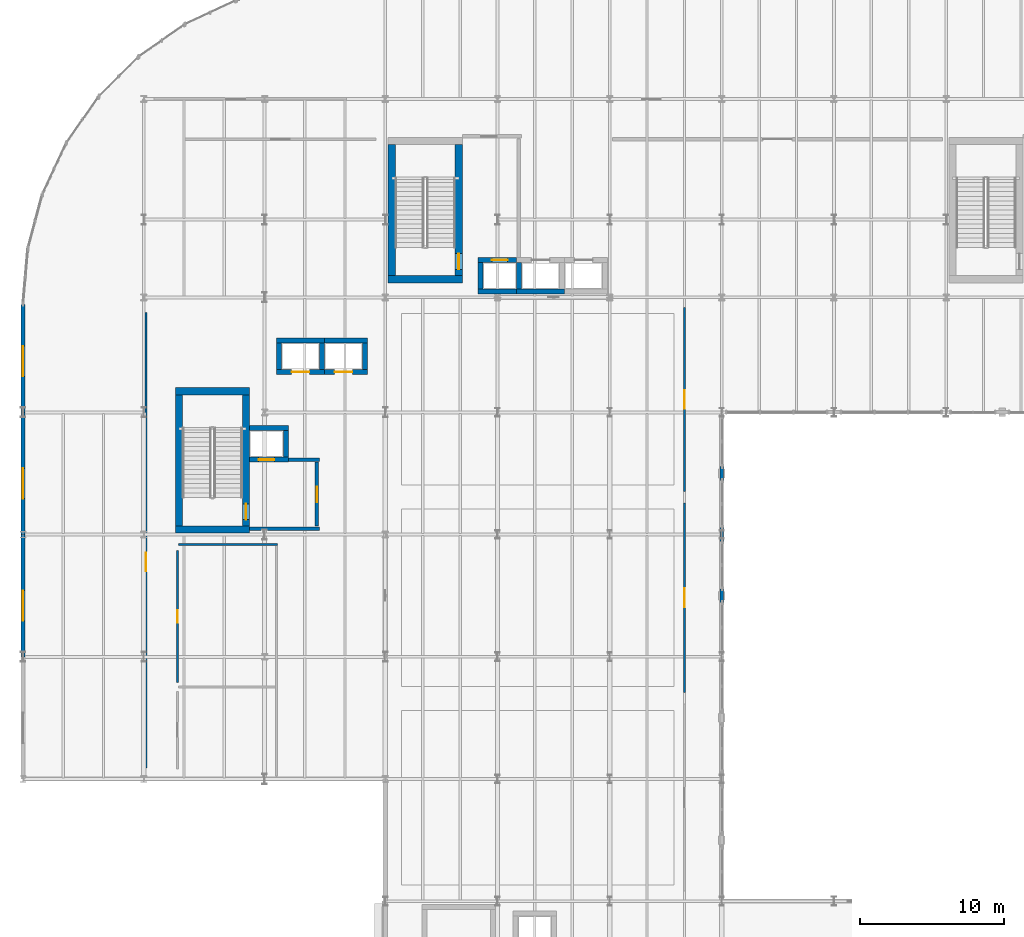
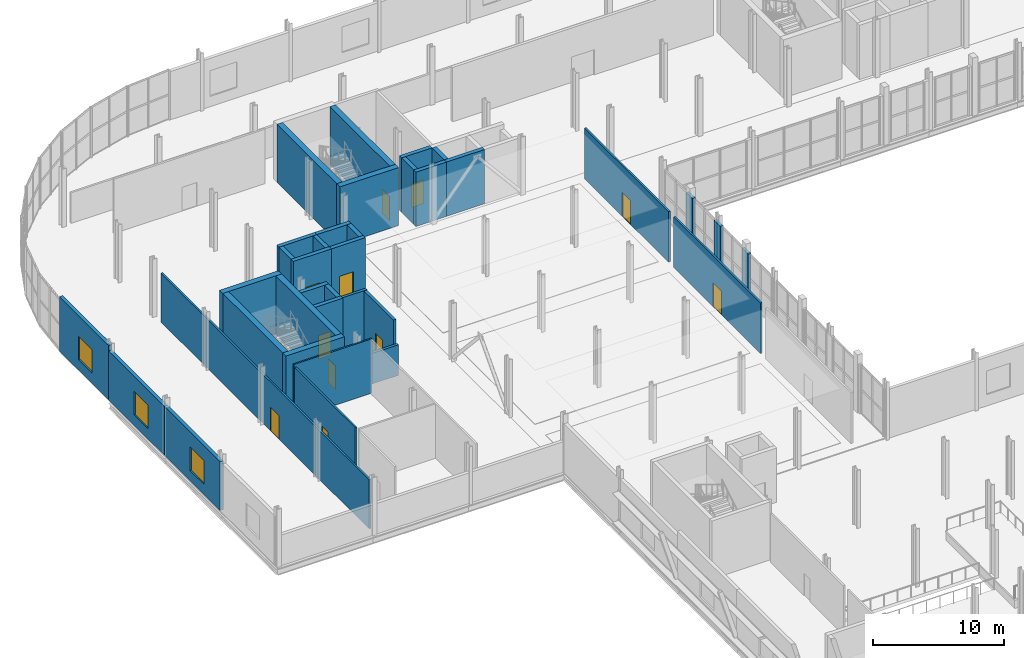
# One storey, part 54 of 78: 36 walls, 11 doors, 3 windows, 14 openings.
"""IFC4 building model written with IfcOpenShell, lengths in metres."""

from ifc_helpers import new_model, si_unit, direction, frame, frame_2d, origin, place, context, subcontext, project, spatial, rectangle, extrude, material, layer, layer_set, type_object, element, fill, save


model = new_model("IFC4")

# Units and contexts
model_context = context("Model", 3, precision=1e-05, world=origin(), true_north=direction((0.0, 1.0)))
body_context = subcontext(model_context, "Body", "Model", "MODEL_VIEW")
ifc_project = project(units=[si_unit("LENGTHUNIT", "METRE"), si_unit("AREAUNIT", "SQUARE_METRE"), si_unit("VOLUMEUNIT", "CUBIC_METRE"), si_unit("PLANEANGLEUNIT", "RADIAN"), si_unit("MASSUNIT", "GRAM", prefix="KILO")], contexts=[model_context])

# Site, building, storey
site_placement = place(None, origin())
site = spatial("IfcSite", under=ifc_project, at=site_placement, CompositionType="ELEMENT")
building_placement = place(site_placement, origin())
building = spatial("IfcBuilding", under=site, at=building_placement, Name="Sefraquen Railside Congress Hotel", CompositionType="ELEMENT")
storey_placement = place(building_placement, frame((0.0, 0.0, 6.0)))
storey = spatial("IfcBuildingStorey", under=building, at=storey_placement, Name="L01", CompositionType="ELEMENT", Elevation=6.0)

# Wall
ifc_material_1 = material(Name="Concrete C50/60", Category="concrete")
ifc_layer_1 = layer(ifc_material_1, 0.35009765625)
ifc_layer_set_1 = layer_set([ifc_layer_1], Name="Concrete C50/60")
wall_type_1 = type_object("IfcWallType", Name="TW-CW-350", PredefinedType="SHEAR", material=ifc_layer_set_1)
wall_1_placement = place(storey_placement, frame((15.760009765625, 86.89501953125, 0.0), z_axis=(0.0, 0.0, 1.0), x_axis=(1.0, 0.0, 0.0)))
element("IfcWall", 1, at=wall_1_placement, inside=storey, type_object=wall_type_1, Name="Lift FL-01 shaft wall N L01", PredefinedType="SHEAR", context=body_context, shape_type="SweptSolid", body=[
    extrude(rectangle(XDim=2.68994140625, YDim=0.35009765625, at=frame_2d((1.344970703125, 0.0))), origin(), (0.0, 0.0, 1.0), 5.050048828125),
])

# Wall, opening, door
wall_2_placement = place(storey_placement, frame((15.760009765625, 84.705078125, 0.0), z_axis=(0.0, 0.0, 1.0), x_axis=(1.0, 0.0, 0.0)))
wall_2 = element("IfcWall", 2, at=wall_2_placement, inside=storey, type_object=wall_type_1, Name="Lift FL-01 shaft wall S L01", PredefinedType="SHEAR", context=body_context, shape_type="SweptSolid", body=[
    extrude(rectangle(XDim=2.68994140625, YDim=0.35009765625, at=frame_2d((1.344970703125, 0.0))), origin(), (0.0, 0.0, 1.0), 5.050048828125),
])
opening_1_placement = place(wall_2_placement, frame((0.6201171875, 0.0, 0.0)))
opening_1 = element("IfcOpeningElement", 3, at=opening_1_placement, cuts=wall_2, Name="Opening LD-01", PredefinedType="OPENING", context=body_context, shape_type="SweptSolid", body=[
    extrude(rectangle(XDim=1.10009765625, YDim=2.199951171875, at=frame_2d((0.550048828125, 1.10009765625))), frame((0.0, 0.18505859375, 0.0), z_axis=(0.0, -1.0, 0.0), x_axis=(1.0, 0.0, 0.0)), (0.0, 0.0, 1.0), 0.3701171875),
])
ifc_material_2 = material(Name="Brushed bronze stainless steel", Category="steel")
door_type_1 = type_object("IfcDoorType", Name="TD-LD-01", OperationType="NOTDEFINED", PredefinedType="DOOR", material=ifc_material_2)
door_1_placement = place(opening_1_placement, origin())
door_1 = element("IfcDoor", 4, at=door_1_placement, inside=storey, type_object=door_type_1, Name="Lift landing door FL-01 L01", OperationType="SLIDING_TO_LEFT", OverallHeight=2.199951171875, OverallWidth=1.10009765625, PredefinedType="DOOR", context=body_context, shape_type="SweptSolid", body=[
    extrude(rectangle(XDim=1.10009765625, YDim=2.199951171875, at=frame_2d((0.550048828125, 1.10009765625))), frame((0.0, 0.02490234375, 0.0), z_axis=(0.0, -1.0, 0.0), x_axis=(1.0, 0.0, 0.0)), (0.0, 0.0, 1.0), 0.050048828125),
])
fill(opening_1, door_1)

# Wall
wall_3_placement = place(storey_placement, frame((18.27490234375, 84.8798828125, 0.0), z_axis=(0.0, 0.0, 1.0), x_axis=(0.0, 1.0, 0.0)))
element("IfcWall", 5, at=wall_3_placement, inside=storey, type_object=wall_type_1, Name="Lift FL-01 shaft wall E L01", PredefinedType="SHEAR", context=body_context, shape_type="SweptSolid", body=[
    extrude(rectangle(XDim=1.840087890625, YDim=0.35009765625, at=frame_2d((0.919921875, 0.0))), origin(), (0.0, 0.0, 1.0), 5.050048828125),
])

# Wall, opening, door
wall_4_placement = place(storey_placement, frame((31.639892578125, 98.594970703125, 0.0), z_axis=(0.0, 0.0, 1.0), x_axis=(1.0, 0.0, 0.0)))
wall_4 = element("IfcWall", 6, at=wall_4_placement, inside=storey, type_object=wall_type_1, Name="Lift FL-02 shaft wall N L01", PredefinedType="SHEAR", context=body_context, shape_type="SweptSolid", body=[
    extrude(rectangle(XDim=2.690185546875, YDim=0.35009765625, at=frame_2d((1.34521484375, 0.0))), origin(), (0.0, 0.0, 1.0), 5.050048828125),
])
opening_2_placement = place(wall_4_placement, frame((0.969970703125, 0.0, 0.0)))
opening_2 = element("IfcOpeningElement", 7, at=opening_2_placement, cuts=wall_4, Name="Opening LD-01", PredefinedType="OPENING", context=body_context, shape_type="SweptSolid", body=[
    extrude(rectangle(XDim=1.10009765625, YDim=2.199951171875, at=frame_2d((0.550048828125, 1.10009765625))), frame((0.0, 0.18505859375, 0.0), z_axis=(0.0, -1.0, 0.0), x_axis=(1.0, 0.0, 0.0)), (0.0, 0.0, 1.0), 0.3701171875),
])
door_2_placement = place(opening_2_placement, origin())
door_2 = element("IfcDoor", 8, at=door_2_placement, inside=storey, type_object=door_type_1, Name="Lift landing door FL-02 L01", OperationType="SLIDING_TO_LEFT", OverallHeight=2.199951171875, OverallWidth=1.10009765625, PredefinedType="DOOR", context=body_context, shape_type="SweptSolid", body=[
    extrude(rectangle(XDim=1.10009765625, YDim=2.199951171875, at=frame_2d((0.550048828125, 1.10009765625))), frame((0.0, 0.02490234375, 0.0), z_axis=(0.0, -1.0, 0.0), x_axis=(1.0, 0.0, 0.0)), (0.0, 0.0, 1.0), 0.050048828125),
])
fill(opening_2, door_2)

# Walls
wall_5_placement = place(storey_placement, frame((31.639892578125, 96.405029296875, 0.0), z_axis=(0.0, 0.0, 1.0), x_axis=(1.0, 0.0, 0.0)))
element("IfcWall", 9, at=wall_5_placement, inside=storey, type_object=wall_type_1, Name="Lift FL-02 shaft wall S L01", PredefinedType="SHEAR", context=body_context, shape_type="SweptSolid", body=[
    extrude(rectangle(XDim=2.690185546875, YDim=0.35009765625, at=frame_2d((1.34521484375, 0.0))), origin(), (0.0, 0.0, 1.0), 5.050048828125),
])
wall_6_placement = place(storey_placement, frame((31.81494140625, 96.580078125, 0.0), z_axis=(0.0, 0.0, 1.0), x_axis=(0.0, 1.0, 0.0)))
element("IfcWall", 10, at=wall_6_placement, inside=storey, type_object=wall_type_1, Name="Lift FL-02 shaft wall W L01", PredefinedType="SHEAR", context=body_context, shape_type="SweptSolid", body=[
    extrude(rectangle(XDim=1.83984375, YDim=0.35009765625, at=frame_2d((0.919921875, 0.0))), origin(), (0.0, 0.0, 1.0), 5.050048828125),
])
wall_7_placement = place(storey_placement, frame((17.6298828125, 92.9951171875, 0.0), z_axis=(0.0, 0.0, 1.0), x_axis=(1.0, 0.0, 0.0)))
element("IfcWall", 11, at=wall_7_placement, inside=storey, type_object=wall_type_1, Name="Lift PL-01 shaft wall N L01", PredefinedType="SHEAR", context=body_context, shape_type="SweptSolid", body=[
    extrude(rectangle(XDim=3.340087890625, YDim=0.35009765625, at=frame_2d((1.669921875, 0.0))), origin(), (0.0, 0.0, 1.0), 5.050048828125),
])

# Wall, opening, door
wall_8_placement = place(storey_placement, frame((17.6298828125, 90.804931640625, 0.0), z_axis=(0.0, 0.0, 1.0), x_axis=(1.0, 0.0, 0.0)))
wall_8 = element("IfcWall", 12, at=wall_8_placement, inside=storey, type_object=wall_type_1, Name="Lift PL-01 shaft wall S L01", PredefinedType="SHEAR", context=body_context, shape_type="SweptSolid", body=[
    extrude(rectangle(XDim=3.340087890625, YDim=0.35009765625, at=frame_2d((1.669921875, 0.0))), origin(), (0.0, 0.0, 1.0), 5.050048828125),
])
opening_3_placement = place(wall_8_placement, frame((1.044921875, 0.0, 0.0)))
opening_3 = element("IfcOpeningElement", 13, at=opening_3_placement, cuts=wall_8, Name="Opening LD-02", PredefinedType="OPENING", context=body_context, shape_type="SweptSolid", body=[
    extrude(rectangle(XDim=1.25, YDim=2.25, at=frame_2d((0.625, 1.125))), frame((0.0, 0.18505859375, 0.0), z_axis=(0.0, -1.0, 0.0), x_axis=(1.0, 0.0, 0.0)), (0.0, 0.0, 1.0), 0.3701171875),
])
ifc_material_3 = material(Name="Brushed stainless steel", Category="steel")
door_type_2 = type_object("IfcDoorType", Name="TD-LD-02", OperationType="NOTDEFINED", PredefinedType="DOOR", material=ifc_material_3)
door_3_placement = place(opening_3_placement, origin())
door_3 = element("IfcDoor", 14, at=door_3_placement, inside=storey, type_object=door_type_2, Name="Lift landing door PL-01 L01", OperationType="SLIDING_TO_LEFT", OverallHeight=2.25, OverallWidth=1.25, PredefinedType="DOOR", context=body_context, shape_type="SweptSolid", body=[
    extrude(rectangle(XDim=1.25, YDim=2.25, at=frame_2d((0.625, 1.125))), frame((0.0, 0.02490234375, 0.0), z_axis=(0.0, -1.0, 0.0), x_axis=(1.0, 0.0, 0.0)), (0.0, 0.0, 1.0), 0.050048828125),
])
fill(opening_3, door_3)

# Walls
for number, where, z_axis, x_axis, name in (
    (15, (17.804931640625, 90.97998046875, 0.0), (0.0, 0.0, 1.0), (0.0, 1.0, 0.0), "Lift PL-01 shaft wall W L01"),
    (16, (20.794921875, 90.97998046875, 0.0), (0.0, 0.0, 1.0), (0.0, 1.0, 0.0), "Lift PL-01 shaft wall E L01"),
):
    element("IfcWall", number, at=place(storey_placement, frame(where, z_axis=z_axis, x_axis=x_axis)), inside=storey, type_object=wall_type_1, Name=name, PredefinedType="SHEAR", context=body_context, shape_type="SweptSolid", body=[
        extrude(rectangle(XDim=1.840087890625, YDim=0.35009765625, at=frame_2d((0.919921875, 0.0))), origin(), (0.0, 0.0, 1.0), 5.050048828125),
    ])
wall_9_placement = place(storey_placement, frame((20.969970703125, 92.9951171875, 0.0), z_axis=(0.0, 0.0, 1.0), x_axis=(1.0, 0.0, 0.0)))
element("IfcWall", 17, at=wall_9_placement, inside=storey, type_object=wall_type_1, Name="Lift PL-02 shaft wall N L01", PredefinedType="SHEAR", context=body_context, shape_type="SweptSolid", body=[
    extrude(rectangle(XDim=2.989990234375, YDim=0.35009765625, at=frame_2d((1.4951171875, 0.0))), origin(), (0.0, 0.0, 1.0), 5.050048828125),
])

# Wall, opening, door
wall_10_placement = place(storey_placement, frame((20.969970703125, 90.804931640625, 0.0), z_axis=(0.0, 0.0, 1.0), x_axis=(1.0, 0.0, 0.0)))
wall_10 = element("IfcWall", 18, at=wall_10_placement, inside=storey, type_object=wall_type_1, Name="Lift PL-02 shaft wall S L01", PredefinedType="SHEAR", context=body_context, shape_type="SweptSolid", body=[
    extrude(rectangle(XDim=2.989990234375, YDim=0.35009765625, at=frame_2d((1.4951171875, 0.0))), origin(), (0.0, 0.0, 1.0), 5.050048828125),
])
opening_4_placement = place(wall_10_placement, frame((0.695068359375, 0.0, 0.0)))
opening_4 = element("IfcOpeningElement", 19, at=opening_4_placement, cuts=wall_10, Name="Opening LD-02", PredefinedType="OPENING", context=body_context, shape_type="SweptSolid", body=[
    extrude(rectangle(XDim=1.25, YDim=2.25, at=frame_2d((0.625, 1.125))), frame((0.0, 0.18505859375, 0.0), z_axis=(0.0, -1.0, 0.0), x_axis=(1.0, 0.0, 0.0)), (0.0, 0.0, 1.0), 0.3701171875),
])
door_4_placement = place(opening_4_placement, origin())
door_4 = element("IfcDoor", 20, at=door_4_placement, inside=storey, type_object=door_type_2, Name="Lift landing door PL-02 L01", OperationType="SLIDING_TO_LEFT", OverallHeight=2.25, OverallWidth=1.25, PredefinedType="DOOR", context=body_context, shape_type="SweptSolid", body=[
    extrude(rectangle(XDim=1.25, YDim=2.25, at=frame_2d((0.625, 1.125))), frame((0.0, 0.02490234375, 0.0), z_axis=(0.0, -1.0, 0.0), x_axis=(1.0, 0.0, 0.0)), (0.0, 0.0, 1.0), 0.050048828125),
])
fill(opening_4, door_4)

# Walls
wall_11_placement = place(storey_placement, frame((23.784912109375, 90.97998046875, 0.0), z_axis=(0.0, 0.0, 1.0), x_axis=(0.0, 1.0, 0.0)))
element("IfcWall", 21, at=wall_11_placement, inside=storey, type_object=wall_type_1, Name="Lift PL-02 shaft wall E L01", PredefinedType="SHEAR", context=body_context, shape_type="SweptSolid", body=[
    extrude(rectangle(XDim=1.840087890625, YDim=0.35009765625, at=frame_2d((0.919921875, 0.0))), origin(), (0.0, 0.0, 1.0), 5.050048828125),
])
wall_12_placement = place(storey_placement, frame((34.330078125, 96.405029296875, 0.0), z_axis=(0.0, 0.0, 1.0), x_axis=(1.0, 0.0, 0.0)))
element("IfcWall", 22, at=wall_12_placement, inside=storey, type_object=wall_type_1, Name="Lift PL-03 shaft wall S L01", PredefinedType="SHEAR", context=body_context, shape_type="SweptSolid", body=[
    extrude(rectangle(XDim=3.33984375, YDim=0.35009765625, at=frame_2d((1.669921875, 0.0))), origin(), (0.0, 0.0, 1.0), 5.050048828125),
])
wall_13_placement = place(storey_placement, frame((34.5048828125, 96.580078125, 0.0), z_axis=(0.0, 0.0, 1.0), x_axis=(0.0, 1.0, 0.0)))
element("IfcWall", 23, at=wall_13_placement, inside=storey, type_object=wall_type_1, Name="Lift PL-03 shaft wall W L01", PredefinedType="SHEAR", context=body_context, shape_type="SweptSolid", body=[
    extrude(rectangle(XDim=1.83984375, YDim=0.35009765625, at=frame_2d((0.919921875, 0.0))), origin(), (0.0, 0.0, 1.0), 5.050048828125),
])
ifc_layer_2 = layer(ifc_material_1, 0.5)
ifc_layer_set_2 = layer_set([ifc_layer_2], Name="Concrete C50/60")
wall_type_2 = type_object("IfcWallType", Name="TW-CW-500", PredefinedType="SHEAR", material=ifc_layer_set_2)
for number, where, z_axis, x_axis, name in (
    (24, (10.60009765625, 89.4619140625, 0.0), (0.0, 0.0, 1.0), (1.0, 0.0, 0.0), "Core shear wall ST-H01 N L01"),
    (25, (10.60009765625, 79.85009765625, 0.0), (0.0, 0.0, 1.0), (1.0, 0.0, 0.0), "Core shear wall ST-H01 S L01"),
):
    element("IfcWall", number, at=place(storey_placement, frame(where, z_axis=z_axis, x_axis=x_axis)), inside=storey, type_object=wall_type_2, Name=name, PredefinedType="SHEAR", context=body_context, shape_type="SweptSolid", body=[
        extrude(rectangle(XDim=5.159912109375, YDim=0.5, at=frame_2d((2.580078125, 0.0))), origin(), (0.0, 0.0, 1.0), 5.39990234375),
    ])
wall_14_placement = place(storey_placement, frame((10.85009765625, 80.10009765625, 0.0), z_axis=(0.0, 0.0, 1.0), x_axis=(0.0, 1.0, 0.0)))
element("IfcWall", 26, at=wall_14_placement, inside=storey, type_object=wall_type_2, Name="Core shear wall ST-H01 W L01", PredefinedType="SHEAR", context=body_context, shape_type="SweptSolid", body=[
    extrude(rectangle(XDim=9.11181640625, YDim=0.5, at=frame_2d((4.555908203125, 0.0))), origin(), (0.0, 0.0, 1.0), 5.39990234375),
])

# Wall, opening, door
wall_15_placement = place(storey_placement, frame((15.510009765625, 80.10009765625, 0.0), z_axis=(0.0, 0.0, 1.0), x_axis=(0.0, 1.0, 0.0)))
wall_15 = element("IfcWall", 27, at=wall_15_placement, inside=storey, type_object=wall_type_2, Name="Core shear wall ST-H01 E L01", PredefinedType="SHEAR", context=body_context, shape_type="SweptSolid", body=[
    extrude(rectangle(XDim=9.11181640625, YDim=0.5, at=frame_2d((4.555908203125, 0.0))), origin(), (0.0, 0.0, 1.0), 5.39990234375),
])
opening_5_placement = place(wall_15_placement, frame((0.43994140625, 0.0, 0.0)))
opening_5 = element("IfcOpeningElement", 28, at=opening_5_placement, cuts=wall_15, Name="Opening FD-04", PredefinedType="OPENING", context=body_context, shape_type="SweptSolid", body=[
    extrude(rectangle(XDim=1.10009765625, YDim=2.199951171875, at=frame_2d((0.550048828125, 1.10009765625))), frame((0.0, 0.260009765625, 0.0), z_axis=(0.0, -1.0, 0.0), x_axis=(1.0, 0.0, 0.0)), (0.0, 0.0, 1.0), 0.52001953125),
])
ifc_material_4 = material(Name="Fire-rated steel", Category="steel")
door_type_3 = type_object("IfcDoorType", Name="TD-FD-04", OperationType="NOTDEFINED", PredefinedType="DOOR", material=ifc_material_4)
door_5_placement = place(opening_5_placement, origin())
door_5 = element("IfcDoor", 29, at=door_5_placement, inside=storey, type_object=door_type_3, Name="Pressurized stair ST-H01 fire door L01", OperationType="SINGLE_SWING_LEFT", OverallHeight=2.199951171875, OverallWidth=1.10009765625, PredefinedType="DOOR", context=body_context, shape_type="SweptSolid", body=[
    extrude(rectangle(XDim=1.10009765625, YDim=2.199951171875, at=frame_2d((0.550048828125, 1.10009765625))), frame((0.0, 0.02490234375, 0.0), z_axis=(0.0, -1.0, 0.0), x_axis=(1.0, 0.0, 0.0)), (0.0, 0.0, 1.0), 0.050048828125),
])
fill(opening_5, door_5)

# Walls
wall_16_placement = place(storey_placement, frame((25.39990234375, 97.25, 0.0), z_axis=(0.0, 0.0, 1.0), x_axis=(1.0, 0.0, 0.0)))
element("IfcWall", 30, at=wall_16_placement, inside=storey, type_object=wall_type_2, Name="Core shear wall ST-H02 S L01", PredefinedType="SHEAR", context=body_context, shape_type="SweptSolid", body=[
    extrude(rectangle(XDim=5.16015625, YDim=0.5, at=frame_2d((2.580078125, 0.0))), origin(), (0.0, 0.0, 1.0), 5.39990234375),
])
wall_17_placement = place(storey_placement, frame((25.64990234375, 97.5, 0.0), z_axis=(0.0, 0.0, 1.0), x_axis=(0.0, 1.0, 0.0)))
element("IfcWall", 31, at=wall_17_placement, inside=storey, type_object=wall_type_2, Name="Core shear wall ST-H02 W L01", PredefinedType="SHEAR", context=body_context, shape_type="SweptSolid", body=[
    extrude(rectangle(XDim=9.112060546875, YDim=0.5, at=frame_2d((4.55615234375, 0.0))), origin(), (0.0, 0.0, 1.0), 5.39990234375),
])

# Wall, opening, door
wall_18_placement = place(storey_placement, frame((30.31005859375, 97.5, 0.0), z_axis=(0.0, 0.0, 1.0), x_axis=(0.0, 1.0, 0.0)))
wall_18 = element("IfcWall", 32, at=wall_18_placement, inside=storey, type_object=wall_type_2, Name="Core shear wall ST-H02 E L01", PredefinedType="SHEAR", context=body_context, shape_type="SweptSolid", body=[
    extrude(rectangle(XDim=9.112060546875, YDim=0.5, at=frame_2d((4.55615234375, 0.0))), origin(), (0.0, 0.0, 1.0), 5.39990234375),
])
opening_6_placement = place(wall_18_placement, frame((0.43994140625, 0.0, 0.0)))
opening_6 = element("IfcOpeningElement", 33, at=opening_6_placement, cuts=wall_18, Name="Opening FD-04", PredefinedType="OPENING", context=body_context, shape_type="SweptSolid", body=[
    extrude(rectangle(XDim=1.10009765625, YDim=2.199951171875, at=frame_2d((0.550048828125, 1.10009765625))), frame((0.0, 0.260009765625, 0.0), z_axis=(0.0, -1.0, 0.0), x_axis=(1.0, 0.0, 0.0)), (0.0, 0.0, 1.0), 0.52001953125),
])
door_6_placement = place(opening_6_placement, origin())
door_6 = element("IfcDoor", 34, at=door_6_placement, inside=storey, type_object=door_type_3, Name="Pressurized stair ST-H02 fire door L01", OperationType="SINGLE_SWING_LEFT", OverallHeight=2.199951171875, OverallWidth=1.10009765625, PredefinedType="DOOR", context=body_context, shape_type="SweptSolid", body=[
    extrude(rectangle(XDim=1.10009765625, YDim=2.199951171875, at=frame_2d((0.550048828125, 1.10009765625))), frame((0.0, 0.02490234375, 0.0), z_axis=(0.0, -1.0, 0.0), x_axis=(1.0, 0.0, 0.0)), (0.0, 0.0, 1.0), 0.050048828125),
])
fill(opening_6, door_6)

# Walls
ifc_material_5 = material(Name="Ochre Rabat calcarenite limestone and Concrete C40/50 backing", Category="masonry")
ifc_layer_3 = layer(ifc_material_5, 0.280029296875)
ifc_layer_set_3 = layer_set([ifc_layer_3], Name="Ochre Rabat calcarenite limestone and Concrete C40/50 backing")
wall_type_3 = type_object("IfcWallType", Name="TW-EW-280", PredefinedType="STANDARD", material=ifc_layer_set_3)
for number, where, z_axis, x_axis, name in (
    (35, (48.60009765625, 74.77001953125, 0.0), (0.0, 0.0, 1.0), (0.0, 1.0, 0.0), "Courtyard west gallery curtain wall L01 column pier closure 1"),
    (36, (48.60009765625, 79.02001953125, 0.0), (0.0, 0.0, 1.0), (0.0, 1.0, 0.0), "Courtyard west gallery curtain wall L01 column pier closure 2"),
    (37, (48.60009765625, 83.27001953125, 0.0), (0.0, 0.0, 1.0), (0.0, 1.0, 0.0), "Courtyard west gallery curtain wall L01 column pier closure 3"),
):
    element("IfcWall", number, at=place(storey_placement, frame(where, z_axis=z_axis, x_axis=x_axis)), inside=storey, type_object=wall_type_3, Name=name, PredefinedType="STANDARD", context=body_context, shape_type="SweptSolid", body=[
        extrude(rectangle(XDim=0.9599609375, YDim=0.260009765625, at=frame_2d((0.47998046875, 0.0))), origin(), (0.0, 0.0, 1.0), 4.550048828125),
    ])

# Wall, opening, window
ifc_layer_4 = layer(ifc_material_5, 0.300048828125)
ifc_layer_set_4 = layer_set([ifc_layer_4], Name="Ochre Rabat calcarenite limestone and Concrete C40/50 backing")
wall_type_4 = type_object("IfcWallType", Name="TW-EW-300", PredefinedType="STANDARD", material=ifc_layer_set_4)
wall_19_placement = place(storey_placement, frame((0.0, 71.0, 0.0), z_axis=(0.0, 0.0, 1.0), x_axis=(0.0, 1.0, 0.0)))
wall_19 = element("IfcWall", 38, at=wall_19_placement, inside=storey, type_object=wall_type_4, Name="Hotel L01 West Forecourt facade wall", PredefinedType="STANDARD", context=body_context, shape_type="SweptSolid", body=[
    extrude(rectangle(XDim=8.5, YDim=0.300048828125, at=frame_2d((4.25, 0.0))), origin(), (0.0, 0.0, 1.0), 4.550048828125),
])
opening_7_placement = place(wall_19_placement, frame((2.5, 0.0, 0.949951171875)))
opening_7 = element("IfcOpeningElement", 39, at=opening_7_placement, cuts=wall_19, Name="Opening WN-07", PredefinedType="OPENING", context=body_context, shape_type="SweptSolid", body=[
    extrude(rectangle(XDim=2.10009765625, YDim=2.199951171875, at=frame_2d((1.050048828125, 1.10009765625))), frame((0.0, 0.159912109375, 0.0), z_axis=(0.0, -1.0, 0.0), x_axis=(1.0, 0.0, 0.0)), (0.0, 0.0, 1.0), 0.320068359375),
])
ifc_material_6 = material(Name="Solar-control low-E double glazing in bronze-anodised frame", Category="glass")
window_type = type_object("IfcWindowType", Name="TWN-W-07", PartitioningType="DOUBLE_PANEL_VERTICAL", PredefinedType="WINDOW", material=ifc_material_6)
window_1_placement = place(opening_7_placement, origin())
window_1 = element("IfcWindow", 40, at=window_1_placement, inside=storey, type_object=window_type, Name="Hotel L01 west window", OverallHeight=2.199951171875, OverallWidth=2.10009765625, PartitioningType="DOUBLE_PANEL_VERTICAL", PredefinedType="WINDOW", context=body_context, shape_type="SweptSolid", body=[
    extrude(rectangle(XDim=2.10009765625, YDim=2.199951171875, at=frame_2d((1.050048828125, 1.10009765625))), frame((0.0, 0.030029296875, 0.0), z_axis=(0.0, -1.0, 0.0), x_axis=(1.0, 0.0, 0.0)), (0.0, 0.0, 1.0), 0.06005859375),
])
fill(opening_7, window_1)

wall_20_placement = place(storey_placement, frame((0.0, 79.5, 0.0), z_axis=(0.0, 0.0, 1.0), x_axis=(0.0, 1.0, 0.0)))
wall_20 = element("IfcWall", 41, at=wall_20_placement, inside=storey, type_object=wall_type_4, Name="Hotel L01 West Forecourt facade wall", PredefinedType="STANDARD", context=body_context, shape_type="SweptSolid", body=[
    extrude(rectangle(XDim=8.5, YDim=0.300048828125, at=frame_2d((4.25, 0.0))), origin(), (0.0, 0.0, 1.0), 4.550048828125),
])
opening_8_placement = place(wall_20_placement, frame((2.5, 0.0, 0.949951171875)))
opening_8 = element("IfcOpeningElement", 42, at=opening_8_placement, cuts=wall_20, Name="Opening WN-07", PredefinedType="OPENING", context=body_context, shape_type="SweptSolid", body=[
    extrude(rectangle(XDim=2.10009765625, YDim=2.199951171875, at=frame_2d((1.050048828125, 1.10009765625))), frame((0.0, 0.159912109375, 0.0), z_axis=(0.0, -1.0, 0.0), x_axis=(1.0, 0.0, 0.0)), (0.0, 0.0, 1.0), 0.320068359375),
])
window_2_placement = place(opening_8_placement, origin())
window_2 = element("IfcWindow", 43, at=window_2_placement, inside=storey, type_object=window_type, Name="Hotel L01 west window", OverallHeight=2.199951171875, OverallWidth=2.10009765625, PartitioningType="DOUBLE_PANEL_VERTICAL", PredefinedType="WINDOW", context=body_context, shape_type="SweptSolid", body=[
    extrude(rectangle(XDim=2.10009765625, YDim=2.199951171875, at=frame_2d((1.050048828125, 1.10009765625))), frame((0.0, 0.030029296875, 0.0), z_axis=(0.0, -1.0, 0.0), x_axis=(1.0, 0.0, 0.0)), (0.0, 0.0, 1.0), 0.06005859375),
])
fill(opening_8, window_2)

wall_21_placement = place(storey_placement, frame((0.0, 88.0, 0.0), z_axis=(0.0, 0.0, 1.0), x_axis=(0.0, 1.0, 0.0)))
wall_21 = element("IfcWall", 44, at=wall_21_placement, inside=storey, type_object=wall_type_4, Name="Hotel L01 West Forecourt facade wall", PredefinedType="STANDARD", context=body_context, shape_type="SweptSolid", body=[
    extrude(rectangle(XDim=7.5, YDim=0.300048828125, at=frame_2d((3.75, 0.0))), origin(), (0.0, 0.0, 1.0), 5.050048828125),
])
opening_9_placement = place(wall_21_placement, frame((2.5, 0.0, 0.949951171875)))
opening_9 = element("IfcOpeningElement", 45, at=opening_9_placement, cuts=wall_21, Name="Opening WN-07", PredefinedType="OPENING", context=body_context, shape_type="SweptSolid", body=[
    extrude(rectangle(XDim=2.10009765625, YDim=2.199951171875, at=frame_2d((1.050048828125, 1.10009765625))), frame((0.0, 0.159912109375, 0.0), z_axis=(0.0, -1.0, 0.0), x_axis=(1.0, 0.0, 0.0)), (0.0, 0.0, 1.0), 0.320068359375),
])
window_3_placement = place(opening_9_placement, origin())
window_3 = element("IfcWindow", 46, at=window_3_placement, inside=storey, type_object=window_type, Name="Hotel L01 west window", OverallHeight=2.199951171875, OverallWidth=2.10009765625, PartitioningType="DOUBLE_PANEL_VERTICAL", PredefinedType="WINDOW", context=body_context, shape_type="SweptSolid", body=[
    extrude(rectangle(XDim=2.10009765625, YDim=2.199951171875, at=frame_2d((1.050048828125, 1.10009765625))), frame((0.0, 0.030029296875, 0.0), z_axis=(0.0, -1.0, 0.0), x_axis=(1.0, 0.0, 0.0)), (0.0, 0.0, 1.0), 0.06005859375),
])
fill(opening_9, window_3)

# Walls
ifc_material_7 = material(Name="Concrete C40/50", Category="concrete")
ifc_layer_5 = layer(ifc_material_7, 0.239990234375)
ifc_layer_set_5 = layer_set([ifc_layer_5], Name="Concrete C40/50")
wall_type_5 = type_object("IfcWallType", Name="TW-FW-240", PredefinedType="STANDARD", material=ifc_layer_set_5)
wall_22_placement = place(storey_placement, frame((15.760009765625, 79.89990234375, 0.0), z_axis=(0.0, 0.0, 1.0), x_axis=(1.0, 0.0, 0.0)))
element("IfcWall", 47, at=wall_22_placement, inside=storey, type_object=wall_type_5, Name="Firefighting Lift Lobby FFL-01 S fire wall L01", PredefinedType="STANDARD", context=body_context, shape_type="SweptSolid", body=[
    extrude(rectangle(XDim=4.860107421875, YDim=0.239990234375, at=frame_2d((2.43017578125, 0.0))), origin(), (0.0, 0.0, 1.0), 2.840087890625),
])
wall_23_placement = place(storey_placement, frame((18.449951171875, 84.705078125, 0.0), z_axis=(0.0, 0.0, 1.0), x_axis=(1.0, 0.0, 0.0)))
element("IfcWall", 48, at=wall_23_placement, inside=storey, type_object=wall_type_5, Name="Firefighting Lift Lobby FFL-01 N fire wall L01", PredefinedType="STANDARD", context=body_context, shape_type="SweptSolid", body=[
    extrude(rectangle(XDim=2.170166015625, YDim=0.239990234375, at=frame_2d((1.0849609375, 0.0))), origin(), (0.0, 0.0, 1.0), 5.050048828125),
])

# Wall, opening, door
wall_24_placement = place(storey_placement, frame((20.43994140625, 80.080078125, 0.0), z_axis=(0.0, 0.0, 1.0), x_axis=(0.0, 1.0, 0.0)))
wall_24 = element("IfcWall", 49, at=wall_24_placement, inside=storey, type_object=wall_type_5, Name="Firefighting Lift Lobby FFL-01 EI 120 separation wall L01", PredefinedType="STANDARD", context=body_context, shape_type="SweptSolid", body=[
    extrude(rectangle(XDim=4.449951171875, YDim=0.239990234375, at=frame_2d((2.22509765625, 0.0))), origin(), (0.0, 0.0, 1.0), 5.050048828125),
])
opening_10_placement = place(wall_24_placement, frame((1.64990234375, 0.0, 0.0)))
opening_10 = element("IfcOpeningElement", 50, at=opening_10_placement, cuts=wall_24, Name="Opening FD-04", PredefinedType="OPENING", context=body_context, shape_type="SweptSolid", body=[
    extrude(rectangle(XDim=1.10009765625, YDim=2.199951171875, at=frame_2d((0.550048828125, 1.10009765625))), frame((0.0, 0.1298828125, 0.0), z_axis=(0.0, -1.0, 0.0), x_axis=(1.0, 0.0, 0.0)), (0.0, 0.0, 1.0), 0.260009765625),
])
door_7_placement = place(opening_10_placement, origin())
door_7 = element("IfcDoor", 51, at=door_7_placement, inside=storey, type_object=door_type_3, Name="Firefighting Lift Lobby FFL-01 self-closing fire door L01", OperationType="SINGLE_SWING_LEFT", OverallHeight=2.199951171875, OverallWidth=1.10009765625, PredefinedType="DOOR", context=body_context, shape_type="SweptSolid", body=[
    extrude(rectangle(XDim=1.10009765625, YDim=2.199951171875, at=frame_2d((0.550048828125, 1.10009765625))), frame((0.0, 0.02490234375, 0.0), z_axis=(0.0, -1.0, 0.0), x_axis=(1.0, 0.0, 0.0)), (0.0, 0.0, 1.0), 0.050048828125),
])
fill(opening_10, door_7)

# Wall
ifc_material_8 = material(Name="Moisture-resistant gypsum board", Category="gypsum")
ifc_layer_6 = layer(ifc_material_8, 0.139892578125)
ifc_layer_set_6 = layer_set([ifc_layer_6], Name="Moisture-resistant gypsum board")
wall_type_6 = type_object("IfcWallType", Name="TW-PW-140", PredefinedType="PARTITIONING", material=ifc_layer_set_6)
wall_25_placement = place(storey_placement, frame((10.830078125, 78.820068359375, 0.0), z_axis=(0.0, 0.0, 1.0), x_axis=(1.0, 0.0, 0.0)))
element("IfcWall", 52, at=wall_25_placement, inside=storey, type_object=wall_type_6, Name="Hotel L01 staff WC north enclosure partition", PredefinedType="PARTITIONING", context=body_context, shape_type="SweptSolid", body=[
    extrude(rectangle(XDim=6.85986328125, YDim=0.139892578125, at=frame_2d((3.429931640625, 0.0))), origin(), (0.0, 0.0, 1.0), 5.050048828125),
])

# Wall, opening, door
ifc_layer_7 = layer(ifc_material_8, 0.159912109375)
ifc_layer_set_7 = layer_set([ifc_layer_7], Name="Moisture-resistant gypsum board")
wall_type_7 = type_object("IfcWallType", Name="TW-PW-160", PredefinedType="PARTITIONING", material=ifc_layer_set_7)
wall_26_placement = place(storey_placement, frame((46.0, 68.5, 0.0), z_axis=(0.0, 0.0, 1.0), x_axis=(0.0, 1.0, 0.0)))
wall_26 = element("IfcWall", 53, at=wall_26_placement, inside=storey, type_object=wall_type_7, Name="Conference Suite 02 enclosure wall", PredefinedType="PARTITIONING", context=body_context, shape_type="SweptSolid", body=[
    extrude(rectangle(XDim=13.199951171875, YDim=0.159912109375, at=frame_2d((6.60009765625, 0.0))), origin(), (0.0, 0.0, 1.0), 4.7099609375),
])
opening_11_placement = place(wall_26_placement, frame((5.949951171875, 0.0, 0.0)))
opening_11 = element("IfcOpeningElement", 54, at=opening_11_placement, cuts=wall_26, Name="Opening MD-02", PredefinedType="OPENING", context=body_context, shape_type="SweptSolid", body=[
    extrude(rectangle(XDim=1.300048828125, YDim=2.199951171875, at=frame_2d((0.64990234375, 1.10009765625))), frame((0.0, 0.08984375, 0.0), z_axis=(0.0, -1.0, 0.0), x_axis=(1.0, 0.0, 0.0)), (0.0, 0.0, 1.0), 0.179931640625),
])
ifc_material_9 = material(Name="Acoustic cedar veneer", Category="wood")
door_type_4 = type_object("IfcDoorType", Name="TD-MD-02", OperationType="NOTDEFINED", PredefinedType="DOOR", material=ifc_material_9)
door_8_placement = place(opening_11_placement, origin())
door_8 = element("IfcDoor", 55, at=door_8_placement, inside=storey, type_object=door_type_4, Name="Conference Suite 02 entrance door", OperationType="SINGLE_SWING_RIGHT", OverallHeight=2.199951171875, OverallWidth=1.300048828125, PredefinedType="DOOR", context=body_context, shape_type="SweptSolid", body=[
    extrude(rectangle(XDim=1.300048828125, YDim=2.199951171875, at=frame_2d((0.64990234375, 1.10009765625))), frame((0.0, 0.02490234375, 0.0), z_axis=(0.0, -1.0, 0.0), x_axis=(1.0, 0.0, 0.0)), (0.0, 0.0, 1.0), 0.050048828125),
])
fill(opening_11, door_8)

wall_27_placement = place(storey_placement, frame((46.0, 82.5, 0.0), z_axis=(0.0, 0.0, 1.0), x_axis=(0.0, 1.0, 0.0)))
wall_27 = element("IfcWall", 56, at=wall_27_placement, inside=storey, type_object=wall_type_7, Name="Conference Suite 03 enclosure wall", PredefinedType="PARTITIONING", context=body_context, shape_type="SweptSolid", body=[
    extrude(rectangle(XDim=12.800048828125, YDim=0.159912109375, at=frame_2d((6.39990234375, 0.0))), origin(), (0.0, 0.0, 1.0), 4.7099609375),
])
opening_12_placement = place(wall_27_placement, frame((5.75, 0.0, 0.0)))
opening_12 = element("IfcOpeningElement", 57, at=opening_12_placement, cuts=wall_27, Name="Opening MD-02", PredefinedType="OPENING", context=body_context, shape_type="SweptSolid", body=[
    extrude(rectangle(XDim=1.300048828125, YDim=2.199951171875, at=frame_2d((0.64990234375, 1.10009765625))), frame((0.0, 0.08984375, 0.0), z_axis=(0.0, -1.0, 0.0), x_axis=(1.0, 0.0, 0.0)), (0.0, 0.0, 1.0), 0.179931640625),
])
door_9_placement = place(opening_12_placement, origin())
door_9 = element("IfcDoor", 58, at=door_9_placement, inside=storey, type_object=door_type_4, Name="Conference Suite 03 entrance door", OperationType="SINGLE_SWING_LEFT", OverallHeight=2.199951171875, OverallWidth=1.300048828125, PredefinedType="DOOR", context=body_context, shape_type="SweptSolid", body=[
    extrude(rectangle(XDim=1.300048828125, YDim=2.199951171875, at=frame_2d((0.64990234375, 1.10009765625))), frame((0.0, 0.02490234375, 0.0), z_axis=(0.0, -1.0, 0.0), x_axis=(1.0, 0.0, 0.0)), (0.0, 0.0, 1.0), 0.050048828125),
])
fill(opening_12, door_9)

wall_28_placement = place(storey_placement, frame((8.550048828125, 63.25, 0.0), z_axis=(0.0, 0.0, 1.0), x_axis=(0.0, 1.0, 0.0)))
wall_28 = element("IfcWall", 59, at=wall_28_placement, inside=storey, type_object=wall_type_7, Name="Delegate Business Salon enclosure wall", PredefinedType="PARTITIONING", context=body_context, shape_type="SweptSolid", body=[
    extrude(rectangle(XDim=31.699951171875, YDim=0.159912109375, at=frame_2d((15.85009765625, 0.0))), origin(), (0.0, 0.0, 1.0), 4.550048828125),
])
opening_13_placement = place(wall_28_placement, frame((13.699951171875, 0.0, 0.0)))
opening_13 = element("IfcOpeningElement", 60, at=opening_13_placement, cuts=wall_28, Name="Opening MD-02", PredefinedType="OPENING", context=body_context, shape_type="SweptSolid", body=[
    extrude(rectangle(XDim=1.300048828125, YDim=2.199951171875, at=frame_2d((0.64990234375, 1.10009765625))), frame((0.0, 0.08984375, 0.0), z_axis=(0.0, -1.0, 0.0), x_axis=(1.0, 0.0, 0.0)), (0.0, 0.0, 1.0), 0.179931640625),
])
door_10_placement = place(opening_13_placement, origin())
door_10 = element("IfcDoor", 61, at=door_10_placement, inside=storey, type_object=door_type_4, Name="Delegate Business Salon entrance door", OperationType="SINGLE_SWING_LEFT", OverallHeight=2.199951171875, OverallWidth=1.300048828125, PredefinedType="DOOR", context=body_context, shape_type="SweptSolid", body=[
    extrude(rectangle(XDim=1.300048828125, YDim=2.199951171875, at=frame_2d((0.64990234375, 1.10009765625))), frame((0.0, 0.02490234375, 0.0), z_axis=(0.0, -1.0, 0.0), x_axis=(1.0, 0.0, 0.0)), (0.0, 0.0, 1.0), 0.050048828125),
])
fill(opening_13, door_10)

wall_29_placement = place(storey_placement, frame((10.75, 69.199951171875, 0.0), z_axis=(0.0, 0.0, 1.0), x_axis=(0.0, 1.0, 0.0)))
wall_29 = element("IfcWall", 62, at=wall_29_placement, inside=storey, type_object=wall_type_7, Name="Hotel L01 Staff WC enclosure wall", PredefinedType="PARTITIONING", context=body_context, shape_type="SweptSolid", body=[
    extrude(rectangle(XDim=9.199951171875, YDim=0.159912109375, at=frame_2d((4.60009765625, 0.0))), origin(), (0.0, 0.0, 1.0), 5.050048828125),
])
opening_14_placement = place(wall_29_placement, frame((4.14990234375, 0.0, 0.0)))
opening_14 = element("IfcOpeningElement", 63, at=opening_14_placement, cuts=wall_29, Name="Opening ID-02", PredefinedType="OPENING", context=body_context, shape_type="SweptSolid", body=[
    extrude(rectangle(XDim=0.89990234375, YDim=2.10009765625, at=frame_2d((0.449951171875, 1.050048828125))), frame((0.0, 0.08984375, 0.0), z_axis=(0.0, -1.0, 0.0), x_axis=(1.0, 0.0, 0.0)), (0.0, 0.0, 1.0), 0.179931640625),
])
ifc_material_10 = material(Name="Lacquered cedar joinery", Category="wood")
door_type_5 = type_object("IfcDoorType", Name="TD-ID-02", OperationType="NOTDEFINED", PredefinedType="DOOR", material=ifc_material_10)
door_11_placement = place(opening_14_placement, origin())
door_11 = element("IfcDoor", 64, at=door_11_placement, inside=storey, type_object=door_type_5, Name="Hotel L01 Staff WC entrance door", OperationType="SINGLE_SWING_LEFT", OverallHeight=2.10009765625, OverallWidth=0.89990234375, PredefinedType="DOOR", context=body_context, shape_type="SweptSolid", body=[
    extrude(rectangle(XDim=0.89990234375, YDim=2.10009765625, at=frame_2d((0.449951171875, 1.050048828125))), frame((0.0, 0.02490234375, 0.0), z_axis=(0.0, -1.0, 0.0), x_axis=(1.0, 0.0, 0.0)), (0.0, 0.0, 1.0), 0.050048828125),
])
fill(opening_14, door_11)

save(model, "model.ifc")
